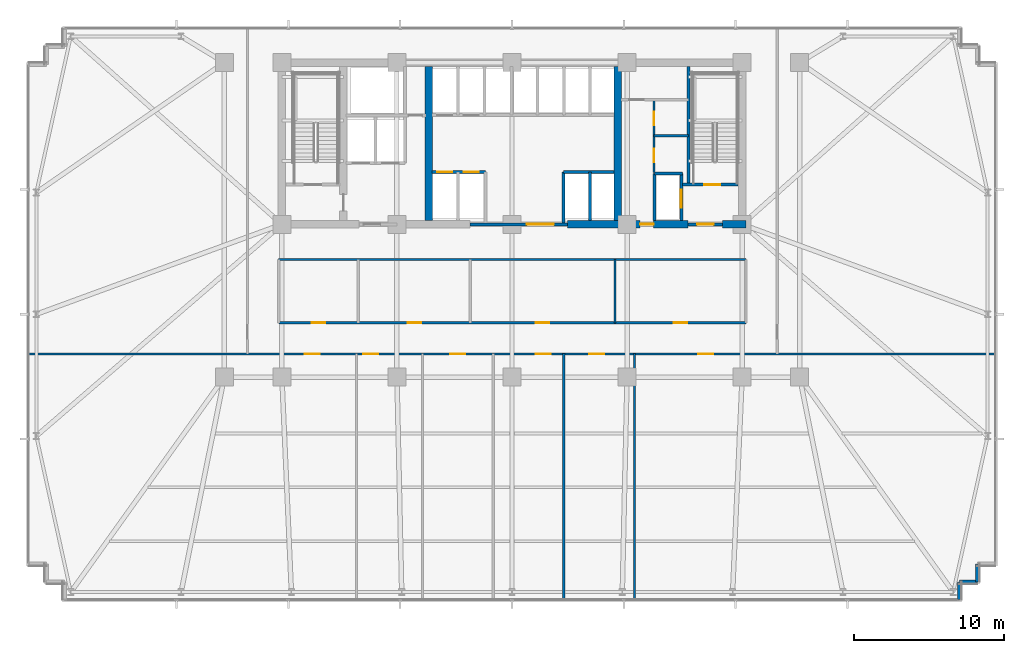
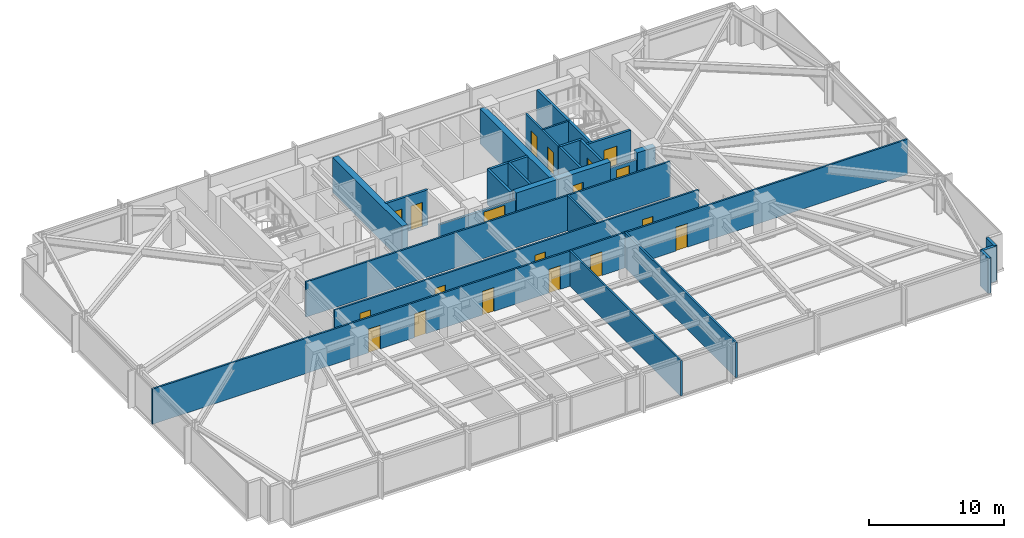
# One storey, part 25 of 32: 26 walls, 19 doors, 19 openings.
"""IFC4 building model written with IfcOpenShell, lengths in metres."""

from ifc_helpers import new_model, si_unit, direction, frame, frame_2d, origin, place, context, subcontext, project, spatial, rectangle, extrude, material, layer, layer_set, type_object, element, fill, save


model = new_model("IFC4")

# Units and contexts
model_context = context("Model", 3, precision=1e-05, world=origin(), true_north=direction((0.0, 1.0)))
body_context = subcontext(model_context, "Body", "Model", "MODEL_VIEW")
ifc_project = project(units=[si_unit("LENGTHUNIT", "METRE"), si_unit("AREAUNIT", "SQUARE_METRE"), si_unit("VOLUMEUNIT", "CUBIC_METRE"), si_unit("PLANEANGLEUNIT", "RADIAN"), si_unit("MASSUNIT", "GRAM", prefix="KILO")], contexts=[model_context])

# Site, building, storey
site_placement = place(None, origin())
site = spatial("IfcSite", under=ifc_project, at=site_placement, CompositionType="ELEMENT")
building_placement = place(site_placement, origin())
building = spatial("IfcBuilding", under=site, at=building_placement, Name="Yelkora Congress Tower", CompositionType="ELEMENT")
storey_placement = place(building_placement, frame((0.0, 0.0, 61.0)))
storey = spatial("IfcBuildingStorey", under=building, at=storey_placement, Name="L15", CompositionType="ELEMENT", Elevation=61.0)

# Wall
ifc_material_1 = material(Name="Concrete C50/60", Category="concrete")
ifc_layer_1 = layer(ifc_material_1, 0.219970703125)
ifc_layer_set_1 = layer_set([ifc_layer_1], Name="Concrete C50/60")
wall_type_1 = type_object("IfcWallType", Name="WALL-CORE-INT-220", PredefinedType="SHEAR", material=ifc_layer_set_1)
wall_1_placement = place(storey_placement, frame((50.179931640625, 38.050048828125, 0.0), z_axis=(0.0, 0.0, 1.0), x_axis=(0.0, 1.0, 0.0)))
element("IfcWall", 1, at=wall_1_placement, inside=storey, type_object=wall_type_1, Name="L15 ST02 West Stair Shear Wall", PredefinedType="SHEAR", context=body_context, shape_type="SweptSolid", body=[
    extrude(rectangle(XDim=7.89990234375, YDim=0.219970703125, at=frame_2d((3.949951171875, 0.0))), origin(), (0.0, 0.0, 1.0), 3.179931640625),
])

# Wall, opening, door
ifc_material_2 = material(Name="Concrete C60/75", Category="concrete")
ifc_layer_2 = layer(ifc_material_2, 0.5)
ifc_layer_set_2 = layer_set([ifc_layer_2], Name="Concrete C60/75")
wall_type_2 = type_object("IfcWallType", Name="WALL-CORE-INT-500", PredefinedType="SHEAR", material=ifc_layer_set_2)
wall_2_placement = place(storey_placement, frame((42.10009765625, 35.39990234375, 0.0), z_axis=(0.0, 0.0, 1.0), x_axis=(1.0, 0.0, 0.0)))
wall_2 = element("IfcWall", 2, at=wall_2_placement, inside=storey, type_object=wall_type_2, Name="L15 Rear Core South-East Shear Wall A", PredefinedType="SHEAR", context=body_context, shape_type="SweptSolid", body=[
    extrude(rectangle(XDim=8.0498046875, YDim=0.5, at=frame_2d((4.02490234375, 0.0))), origin(), (0.0, 0.0, 1.0), 3.179931640625),
])
opening_1_placement = place(wall_2_placement, frame((4.85009765625, 0.0, 0.0)))
opening_1 = element("IfcOpeningElement", 3, at=opening_1_placement, cuts=wall_2, Name="Opening DR-090F6", PredefinedType="OPENING", context=body_context, shape_type="SweptSolid", body=[
    extrude(rectangle(XDim=0.89990234375, YDim=2.14990234375, at=frame_2d((0.449951171875, 1.074951171875))), frame((0.0, 0.260009765625, 0.0), z_axis=(0.0, -1.0, 0.0), x_axis=(1.0, 0.0, 0.0)), (0.0, 0.0, 1.0), 0.52001953125),
])
ifc_material_3 = material(Name="Painted steel riser fire door leaf", Category="steel")
door_type_1 = type_object("IfcDoorType", Name="DOOR-FD60-900", OperationType="NOTDEFINED", PredefinedType="DOOR", material=ifc_material_3)
door_1_placement = place(opening_1_placement, origin())
door_1 = element("IfcDoor", 4, at=door_1_placement, inside=storey, type_object=door_type_1, Name="L15 Core Washroom Lobby Door", OperationType="SINGLE_SWING_RIGHT", OverallHeight=2.14990234375, OverallWidth=0.89990234375, PredefinedType="DOOR", context=body_context, shape_type="SweptSolid", body=[
    extrude(rectangle(XDim=0.89990234375, YDim=2.14990234375, at=frame_2d((0.449951171875, 1.074951171875))), frame((0.0, 0.02490234375, 0.0), z_axis=(0.0, -1.0, 0.0), x_axis=(1.0, 0.0, 0.0)), (0.0, 0.0, 1.0), 0.050048828125),
])
fill(opening_1, door_1)

# Walls
wall_3_placement = place(storey_placement, frame((52.449951171875, 35.39990234375, 0.0), z_axis=(0.0, 0.0, 1.0), x_axis=(1.0, 0.0, 0.0)))
element("IfcWall", 5, at=wall_3_placement, inside=storey, type_object=wall_type_2, Name="L15 Rear Core South-East Shear Wall B", PredefinedType="SHEAR", context=body_context, shape_type="SweptSolid", body=[
    extrude(rectangle(XDim=1.56005859375, YDim=0.5, at=frame_2d((0.780029296875, 0.0))), origin(), (0.0, 0.0, 1.0), 3.179931640625),
])
for number, where, z_axis, x_axis, name in (
    (6, (32.85009765625, 35.64990234375, 0.0), (0.0, 0.0, 1.0), (0.0, 1.0, 0.0), "L15 Rear Core Cross Shear Wall C2"),
    (7, (45.449951171875, 35.64990234375, 0.0), (0.0, 0.0, 1.0), (0.0, 1.0, 0.0), "L15 Rear Core Cross Shear Wall C3"),
):
    element("IfcWall", number, at=place(storey_placement, frame(where, z_axis=z_axis, x_axis=x_axis)), inside=storey, type_object=wall_type_2, Name=name, PredefinedType="SHEAR", context=body_context, shape_type="SweptSolid", body=[
        extrude(rectangle(XDim=10.300048828125, YDim=0.5, at=frame_2d((5.14990234375, 0.0))), origin(), (0.0, 0.0, 1.0), 3.179931640625),
    ])
ifc_material_4 = material(Name="Concrete C40/50", Category="concrete")
ifc_layer_3 = layer(ifc_material_4, 0.239990234375)
ifc_layer_set_3 = layer_set([ifc_layer_3], Name="Concrete C40/50")
wall_type_3 = type_object("IfcWallType", Name="WALL-EXT-LIMESTONE-240", PredefinedType="SOLIDWALL", material=ifc_layer_set_3)
for number, where, z_axis, x_axis, name in (
    (8, (69.4599609375, 12.739990234375, 0.0), (0.0, 0.0, 1.0), (0.0, -1.0, 0.0), "L15 Serrated Corner Limestone Pier 17"),
    (9, (69.4599609375, 11.5400390625, 0.0), (0.0, 0.0, 1.0), (-1.0, 0.0, 0.0), "L15 Serrated Corner Limestone Pier 18"),
    (10, (68.260009765625, 11.5400390625, 0.0), (0.0, 0.0, 1.0), (0.0, -1.0, 0.0), "L15 Serrated Corner Limestone Pier 19"),
):
    element("IfcWall", number, at=place(storey_placement, frame(where, z_axis=z_axis, x_axis=x_axis)), inside=storey, type_object=wall_type_3, Name=name, PredefinedType="SOLIDWALL", context=body_context, shape_type="SweptSolid", body=[
        extrude(rectangle(XDim=1.199951171875, YDim=0.239990234375, at=frame_2d((0.60009765625, 0.0))), origin(), (0.0, 0.0, 1.0), 3.179931640625),
    ])
ifc_material_5 = material(Name="Acoustic metal-stud gypsum partition", Category="gypsum")
ifc_layer_4 = layer(ifc_material_5, 0.14990234375)
ifc_layer_set_4 = layer_set([ifc_layer_4], Name="Acoustic metal-stud gypsum partition")
wall_type_4 = type_object("IfcWallType", Name="WALL-INT-150-NR", PredefinedType="PARTITIONING", material=ifc_layer_set_4)
wall_4_placement = place(storey_placement, frame((47.8798828125, 41.320068359375, 0.0), z_axis=(0.0, 0.0, 1.0), x_axis=(1.0, 0.0, 0.0)))
element("IfcWall", 11, at=wall_4_placement, inside=storey, type_object=wall_type_4, Name="L15 Partition Wall 29", PredefinedType="PARTITIONING", context=body_context, shape_type="SweptSolid", body=[
    extrude(rectangle(XDim=2.300048828125, YDim=0.14990234375, at=frame_2d((1.14990234375, 0.0))), origin(), (0.0, 0.0, 1.0), 3.179931640625),
])

# Wall, openings, doors
wall_5_placement = place(storey_placement, frame((47.8798828125, 38.85009765625, 0.0), z_axis=(0.0, 0.0, 1.0), x_axis=(0.0, 1.0, 0.0)))
wall_5 = element("IfcWall", 12, at=wall_5_placement, inside=storey, type_object=wall_type_4, Name="L15 Partition Wall 30", PredefinedType="PARTITIONING", context=body_context, shape_type="SweptSolid", body=[
    extrude(rectangle(XDim=4.869873046875, YDim=0.14990234375, at=frame_2d((2.43505859375, 0.0))), origin(), (0.0, 0.0, 1.0), 3.179931640625),
])
opening_2_placement = place(wall_5_placement, frame((0.699951171875, 0.0, 0.0)))
opening_2 = element("IfcOpeningElement", 13, at=opening_2_placement, cuts=wall_5, Name="Opening DR-090N", PredefinedType="OPENING", context=body_context, shape_type="SweptSolid", body=[
    extrude(rectangle(XDim=0.89990234375, YDim=2.14990234375, at=frame_2d((0.449951171875, 1.074951171875))), frame((0.0, 0.0849609375, 0.0), z_axis=(0.0, -1.0, 0.0), x_axis=(1.0, 0.0, 0.0)), (0.0, 0.0, 1.0), 0.169921875),
])
opening_3_placement = place(wall_5_placement, frame((3.14990234375, 0.0, 0.0)))
opening_3 = element("IfcOpeningElement", 14, at=opening_3_placement, cuts=wall_5, Name="Opening DR-090N", PredefinedType="OPENING", context=body_context, shape_type="SweptSolid", body=[
    extrude(rectangle(XDim=0.89990234375, YDim=2.14990234375, at=frame_2d((0.449951171875, 1.074951171875))), frame((0.0, 0.0849609375, 0.0), z_axis=(0.0, -1.0, 0.0), x_axis=(1.0, 0.0, 0.0)), (0.0, 0.0, 1.0), 0.169921875),
])
ifc_material_6 = material(Name="Moisture-resistant laminate door leaf", Category="wood")
door_type_2 = type_object("IfcDoorType", Name="DOOR-INT-900", OperationType="NOTDEFINED", PredefinedType="DOOR", material=ifc_material_6)
door_2_placement = place(opening_2_placement, origin())
door_2 = element("IfcDoor", 15, at=door_2_placement, inside=storey, type_object=door_type_2, Name="L15 Male WC Door", OperationType="SINGLE_SWING_LEFT", OverallHeight=2.14990234375, OverallWidth=0.89990234375, PredefinedType="DOOR", context=body_context, shape_type="SweptSolid", body=[
    extrude(rectangle(XDim=0.89990234375, YDim=2.14990234375, at=frame_2d((0.449951171875, 1.074951171875))), frame((0.0, 0.02490234375, 0.0), z_axis=(0.0, -1.0, 0.0), x_axis=(1.0, 0.0, 0.0)), (0.0, 0.0, 1.0), 0.050048828125),
])
fill(opening_2, door_2)
door_3_placement = place(opening_3_placement, origin())
door_3 = element("IfcDoor", 16, at=door_3_placement, inside=storey, type_object=door_type_2, Name="L15 Female WC Door", OperationType="SINGLE_SWING_RIGHT", OverallHeight=2.14990234375, OverallWidth=0.89990234375, PredefinedType="DOOR", context=body_context, shape_type="SweptSolid", body=[
    extrude(rectangle(XDim=0.89990234375, YDim=2.14990234375, at=frame_2d((0.449951171875, 1.074951171875))), frame((0.0, 0.02490234375, 0.0), z_axis=(0.0, -1.0, 0.0), x_axis=(1.0, 0.0, 0.0)), (0.0, 0.0, 1.0), 0.050048828125),
])
fill(opening_3, door_3)

# Walls
for number, where, z_axis, x_axis, name in (
    (17, (41.862060546875, 10.280029296875, 0.0), (0.0, 0.0, 1.0), (0.0, 1.0, 0.0), "L15 Partition Wall 34"),
    (18, (46.580078125, 10.280029296875, 0.0), (0.0, 0.0, 1.0), (0.0, 1.0, 0.0), "L15 Partition Wall 35"),
):
    element("IfcWall", number, at=place(storey_placement, frame(where, z_axis=z_axis, x_axis=x_axis)), inside=storey, type_object=wall_type_4, Name=name, PredefinedType="PARTITIONING", context=body_context, shape_type="SweptSolid", body=[
        extrude(rectangle(XDim=16.489990234375, YDim=0.14990234375, at=frame_2d((8.2451171875, 0.0))), origin(), (0.0, 0.0, 1.0), 3.179931640625),
    ])

# Wall, openings, doors
wall_6_placement = place(storey_placement, frame((6.080078125, 26.75, 0.0), z_axis=(0.0, 0.0, 1.0), x_axis=(1.0, 0.0, 0.0)))
wall_6 = element("IfcWall", 19, at=wall_6_placement, inside=storey, type_object=wall_type_4, Name="L15 South Spine Wall", PredefinedType="PARTITIONING", context=body_context, shape_type="SweptSolid", body=[
    extrude(rectangle(XDim=64.639892578125, YDim=0.14990234375, at=frame_2d((32.31982421875, 0.0))), origin(), (0.0, 0.0, 1.0), 3.179931640625),
])
opening_4_placement = place(wall_6_placement, frame((18.478759765625, 0.0, 0.0)))
opening_4 = element("IfcOpeningElement", 20, at=opening_4_placement, cuts=wall_6, Name="Opening DR-100N", PredefinedType="OPENING", context=body_context, shape_type="SweptSolid", body=[
    extrude(rectangle(XDim=1.0, YDim=2.14990234375, at=frame_2d((0.5, 1.074951171875))), frame((0.0, 0.0849609375, 0.0), z_axis=(0.0, -1.0, 0.0), x_axis=(1.0, 0.0, 0.0)), (0.0, 0.0, 1.0), 0.169921875),
])
opening_5_placement = place(wall_6_placement, frame((22.39404296875, 0.0, 0.0)))
opening_5 = element("IfcOpeningElement", 21, at=opening_5_placement, cuts=wall_6, Name="Opening DR-100N", PredefinedType="OPENING", context=body_context, shape_type="SweptSolid", body=[
    extrude(rectangle(XDim=1.0, YDim=2.14990234375, at=frame_2d((0.5, 1.074951171875))), frame((0.0, 0.0849609375, 0.0), z_axis=(0.0, -1.0, 0.0), x_axis=(1.0, 0.0, 0.0)), (0.0, 0.0, 1.0), 0.169921875),
])
opening_6_placement = place(wall_6_placement, frame((28.2060546875, 0.0, 0.0)))
opening_6 = element("IfcOpeningElement", 22, at=opening_6_placement, cuts=wall_6, Name="Opening DR-100N", PredefinedType="OPENING", context=body_context, shape_type="SweptSolid", body=[
    extrude(rectangle(XDim=1.0, YDim=2.14990234375, at=frame_2d((0.5, 1.074951171875))), frame((0.0, 0.0849609375, 0.0), z_axis=(0.0, -1.0, 0.0), x_axis=(1.0, 0.0, 0.0)), (0.0, 0.0, 1.0), 0.169921875),
])
opening_7_placement = place(wall_6_placement, frame((33.891845703125, 0.0, 0.0)))
opening_7 = element("IfcOpeningElement", 23, at=opening_7_placement, cuts=wall_6, Name="Opening DR-100N", PredefinedType="OPENING", context=body_context, shape_type="SweptSolid", body=[
    extrude(rectangle(XDim=1.0, YDim=2.14990234375, at=frame_2d((0.5, 1.074951171875))), frame((0.0, 0.0849609375, 0.0), z_axis=(0.0, -1.0, 0.0), x_axis=(1.0, 0.0, 0.0)), (0.0, 0.0, 1.0), 0.169921875),
])
opening_8_placement = place(wall_6_placement, frame((37.46484375, 0.0, 0.0)))
opening_8 = element("IfcOpeningElement", 24, at=opening_8_placement, cuts=wall_6, Name="Opening DR-100N", PredefinedType="OPENING", context=body_context, shape_type="SweptSolid", body=[
    extrude(rectangle(XDim=1.0, YDim=2.14990234375, at=frame_2d((0.5, 1.074951171875))), frame((0.0, 0.0849609375, 0.0), z_axis=(0.0, -1.0, 0.0), x_axis=(1.0, 0.0, 0.0)), (0.0, 0.0, 1.0), 0.169921875),
])
opening_9_placement = place(wall_6_placement, frame((44.760009765625, 0.0, 0.0)))
opening_9 = element("IfcOpeningElement", 25, at=opening_9_placement, cuts=wall_6, Name="Opening DR-100N", PredefinedType="OPENING", context=body_context, shape_type="SweptSolid", body=[
    extrude(rectangle(XDim=1.0, YDim=2.14990234375, at=frame_2d((0.5, 1.074951171875))), frame((0.0, 0.0849609375, 0.0), z_axis=(0.0, -1.0, 0.0), x_axis=(1.0, 0.0, 0.0)), (0.0, 0.0, 1.0), 0.169921875),
])
ifc_material_7 = material(Name="Solid-core Anatolian oak veneer door", Category="wood")
door_type_3 = type_object("IfcDoorType", Name="DOOR-INT-1000", OperationType="NOTDEFINED", PredefinedType="DOOR", material=ifc_material_7)
door_4_placement = place(opening_4_placement, origin())
door_4 = element("IfcDoor", 26, at=door_4_placement, inside=storey, type_object=door_type_3, Name="L15 Catering Kitchenette Door", OperationType="SINGLE_SWING_LEFT", OverallHeight=2.14990234375, OverallWidth=1.0, PredefinedType="DOOR", context=body_context, shape_type="SweptSolid", body=[
    extrude(rectangle(XDim=1.0, YDim=2.14990234375, at=frame_2d((0.5, 1.074951171875))), frame((0.0, 0.02490234375, 0.0), z_axis=(0.0, -1.0, 0.0), x_axis=(1.0, 0.0, 0.0)), (0.0, 0.0, 1.0), 0.050048828125),
])
fill(opening_4, door_4)
door_5_placement = place(opening_5_placement, origin())
door_5 = element("IfcDoor", 27, at=door_5_placement, inside=storey, type_object=door_type_3, Name="L15 Catering Kitchenette Door", OperationType="SINGLE_SWING_RIGHT", OverallHeight=2.14990234375, OverallWidth=1.0, PredefinedType="DOOR", context=body_context, shape_type="SweptSolid", body=[
    extrude(rectangle(XDim=1.0, YDim=2.14990234375, at=frame_2d((0.5, 1.074951171875))), frame((0.0, 0.02490234375, 0.0), z_axis=(0.0, -1.0, 0.0), x_axis=(1.0, 0.0, 0.0)), (0.0, 0.0, 1.0), 0.050048828125),
])
fill(opening_5, door_5)
door_6_placement = place(opening_6_placement, origin())
door_6 = element("IfcDoor", 28, at=door_6_placement, inside=storey, type_object=door_type_3, Name="L15 Focus Office Door", OperationType="SINGLE_SWING_LEFT", OverallHeight=2.14990234375, OverallWidth=1.0, PredefinedType="DOOR", context=body_context, shape_type="SweptSolid", body=[
    extrude(rectangle(XDim=1.0, YDim=2.14990234375, at=frame_2d((0.5, 1.074951171875))), frame((0.0, 0.02490234375, 0.0), z_axis=(0.0, -1.0, 0.0), x_axis=(1.0, 0.0, 0.0)), (0.0, 0.0, 1.0), 0.050048828125),
])
fill(opening_6, door_6)
door_7_placement = place(opening_7_placement, origin())
door_7 = element("IfcDoor", 29, at=door_7_placement, inside=storey, type_object=door_type_3, Name="L15 Store IT Door", OperationType="SINGLE_SWING_RIGHT", OverallHeight=2.14990234375, OverallWidth=1.0, PredefinedType="DOOR", context=body_context, shape_type="SweptSolid", body=[
    extrude(rectangle(XDim=1.0, YDim=2.14990234375, at=frame_2d((0.5, 1.074951171875))), frame((0.0, 0.02490234375, 0.0), z_axis=(0.0, -1.0, 0.0), x_axis=(1.0, 0.0, 0.0)), (0.0, 0.0, 1.0), 0.050048828125),
])
fill(opening_7, door_7)
door_8_placement = place(opening_8_placement, origin())
door_8 = element("IfcDoor", 30, at=door_8_placement, inside=storey, type_object=door_type_3, Name="L15 Open-Plan Office Door", OperationType="SINGLE_SWING_LEFT", OverallHeight=2.14990234375, OverallWidth=1.0, PredefinedType="DOOR", context=body_context, shape_type="SweptSolid", body=[
    extrude(rectangle(XDim=1.0, YDim=2.14990234375, at=frame_2d((0.5, 1.074951171875))), frame((0.0, 0.02490234375, 0.0), z_axis=(0.0, -1.0, 0.0), x_axis=(1.0, 0.0, 0.0)), (0.0, 0.0, 1.0), 0.050048828125),
])
fill(opening_8, door_8)
door_9_placement = place(opening_9_placement, origin())
door_9 = element("IfcDoor", 31, at=door_9_placement, inside=storey, type_object=door_type_3, Name="L15 Open-Plan Office Door", OperationType="SINGLE_SWING_RIGHT", OverallHeight=2.14990234375, OverallWidth=1.0, PredefinedType="DOOR", context=body_context, shape_type="SweptSolid", body=[
    extrude(rectangle(XDim=1.0, YDim=2.14990234375, at=frame_2d((0.5, 1.074951171875))), frame((0.0, 0.02490234375, 0.0), z_axis=(0.0, -1.0, 0.0), x_axis=(1.0, 0.0, 0.0)), (0.0, 0.0, 1.0), 0.050048828125),
])
fill(opening_9, door_9)

# Walls
wall_7_placement = place(storey_placement, frame((22.830078125, 33.050048828125, 0.0), z_axis=(0.0, 0.0, 1.0), x_axis=(1.0, 0.0, 0.0)))
element("IfcWall", 32, at=wall_7_placement, inside=storey, type_object=wall_type_4, Name="L15 Partition Wall 41", PredefinedType="PARTITIONING", context=body_context, shape_type="SweptSolid", body=[
    extrude(rectangle(XDim=31.18994140625, YDim=0.14990234375, at=frame_2d((15.594970703125, 0.0))), origin(), (0.0, 0.0, 1.0), 3.179931640625),
])
wall_8_placement = place(storey_placement, frame((45.281982421875, 28.830078125, 0.0), z_axis=(0.0, 0.0, 1.0), x_axis=(0.0, 1.0, 0.0)))
element("IfcWall", 33, at=wall_8_placement, inside=storey, type_object=wall_type_4, Name="L15 Partition Wall 44", PredefinedType="PARTITIONING", context=body_context, shape_type="SweptSolid", body=[
    extrude(rectangle(XDim=4.219970703125, YDim=0.14990234375, at=frame_2d((2.10986328125, 0.0))), origin(), (0.0, 0.0, 1.0), 3.179931640625),
])

# Wall, openings, doors
wall_9_placement = place(storey_placement, frame((22.840087890625, 28.830078125, 0.0), z_axis=(0.0, 0.0, 1.0), x_axis=(1.0, 0.0, 0.0)))
wall_9 = element("IfcWall", 34, at=wall_9_placement, inside=storey, type_object=wall_type_4, Name="L15 Partition Wall 45", PredefinedType="PARTITIONING", context=body_context, shape_type="SweptSolid", body=[
    extrude(rectangle(XDim=31.169921875, YDim=0.14990234375, at=frame_2d((15.5849609375, 0.0))), origin(), (0.0, 0.0, 1.0), 3.179931640625),
])
opening_10_placement = place(wall_9_placement, frame((2.199462890625, 0.0, 0.0)))
opening_10 = element("IfcOpeningElement", 35, at=opening_10_placement, cuts=wall_9, Name="Opening DR-090N", PredefinedType="OPENING", context=body_context, shape_type="SweptSolid", body=[
    extrude(rectangle(XDim=0.89990234375, YDim=2.14990234375, at=frame_2d((0.449951171875, 1.074951171875))), frame((0.0, 0.0849609375, 0.0), z_axis=(0.0, -1.0, 0.0), x_axis=(1.0, 0.0, 0.0)), (0.0, 0.0, 1.0), 0.169921875),
])
opening_11_placement = place(wall_9_placement, frame((8.589599609375, 0.0, 0.0)))
opening_11 = element("IfcOpeningElement", 36, at=opening_11_placement, cuts=wall_9, Name="Opening DR-090N", PredefinedType="OPENING", context=body_context, shape_type="SweptSolid", body=[
    extrude(rectangle(XDim=0.89990234375, YDim=2.14990234375, at=frame_2d((0.449951171875, 1.074951171875))), frame((0.0, 0.0849609375, 0.0), z_axis=(0.0, -1.0, 0.0), x_axis=(1.0, 0.0, 0.0)), (0.0, 0.0, 1.0), 0.169921875),
])
opening_12_placement = place(wall_9_placement, frame((17.160888671875, 0.0, 0.0)))
opening_12 = element("IfcOpeningElement", 37, at=opening_12_placement, cuts=wall_9, Name="Opening DR-090N", PredefinedType="OPENING", context=body_context, shape_type="SweptSolid", body=[
    extrude(rectangle(XDim=0.89990234375, YDim=2.14990234375, at=frame_2d((0.449951171875, 1.074951171875))), frame((0.0, 0.0849609375, 0.0), z_axis=(0.0, -1.0, 0.0), x_axis=(1.0, 0.0, 0.0)), (0.0, 0.0, 1.0), 0.169921875),
])
opening_13_placement = place(wall_9_placement, frame((26.35595703125, 0.0, 0.0)))
opening_13 = element("IfcOpeningElement", 38, at=opening_13_placement, cuts=wall_9, Name="Opening DR-090N", PredefinedType="OPENING", context=body_context, shape_type="SweptSolid", body=[
    extrude(rectangle(XDim=0.89990234375, YDim=2.14990234375, at=frame_2d((0.449951171875, 1.074951171875))), frame((0.0, 0.0849609375, 0.0), z_axis=(0.0, -1.0, 0.0), x_axis=(1.0, 0.0, 0.0)), (0.0, 0.0, 1.0), 0.169921875),
])
door_10_placement = place(opening_10_placement, origin())
door_10 = element("IfcDoor", 39, at=door_10_placement, inside=storey, type_object=door_type_2, Name="L15 Fitness Yoga Studio Door", OperationType="SINGLE_SWING_LEFT", OverallHeight=2.14990234375, OverallWidth=0.89990234375, PredefinedType="DOOR", context=body_context, shape_type="SweptSolid", body=[
    extrude(rectangle(XDim=0.89990234375, YDim=2.14990234375, at=frame_2d((0.449951171875, 1.074951171875))), frame((0.0, 0.02490234375, 0.0), z_axis=(0.0, -1.0, 0.0), x_axis=(1.0, 0.0, 0.0)), (0.0, 0.0, 1.0), 0.050048828125),
])
fill(opening_10, door_10)
door_11_placement = place(opening_11_placement, origin())
door_11 = element("IfcDoor", 40, at=door_11_placement, inside=storey, type_object=door_type_2, Name="L15 Executive Library Door", OperationType="SINGLE_SWING_RIGHT", OverallHeight=2.14990234375, OverallWidth=0.89990234375, PredefinedType="DOOR", context=body_context, shape_type="SweptSolid", body=[
    extrude(rectangle(XDim=0.89990234375, YDim=2.14990234375, at=frame_2d((0.449951171875, 1.074951171875))), frame((0.0, 0.02490234375, 0.0), z_axis=(0.0, -1.0, 0.0), x_axis=(1.0, 0.0, 0.0)), (0.0, 0.0, 1.0), 0.050048828125),
])
fill(opening_11, door_11)
door_12_placement = place(opening_12_placement, origin())
door_12 = element("IfcDoor", 41, at=door_12_placement, inside=storey, type_object=door_type_2, Name="L15 Delegate Kiosk Door", OperationType="SINGLE_SWING_LEFT", OverallHeight=2.14990234375, OverallWidth=0.89990234375, PredefinedType="DOOR", context=body_context, shape_type="SweptSolid", body=[
    extrude(rectangle(XDim=0.89990234375, YDim=2.14990234375, at=frame_2d((0.449951171875, 1.074951171875))), frame((0.0, 0.02490234375, 0.0), z_axis=(0.0, -1.0, 0.0), x_axis=(1.0, 0.0, 0.0)), (0.0, 0.0, 1.0), 0.050048828125),
])
fill(opening_12, door_12)
door_13_placement = place(opening_13_placement, origin())
door_13 = element("IfcDoor", 42, at=door_13_placement, inside=storey, type_object=door_type_2, Name="L15 Fitness Yoga Studio Door", OperationType="SINGLE_SWING_RIGHT", OverallHeight=2.14990234375, OverallWidth=0.89990234375, PredefinedType="DOOR", context=body_context, shape_type="SweptSolid", body=[
    extrude(rectangle(XDim=0.89990234375, YDim=2.14990234375, at=frame_2d((0.449951171875, 1.074951171875))), frame((0.0, 0.02490234375, 0.0), z_axis=(0.0, -1.0, 0.0), x_axis=(1.0, 0.0, 0.0)), (0.0, 0.0, 1.0), 0.050048828125),
])
fill(opening_13, door_13)

# Wall, opening, door
ifc_material_8 = material(Name="Autoclaved aerated concrete blockwork", Category="masonry")
ifc_layer_5 = layer(ifc_material_8, 0.199951171875)
ifc_layer_set_5 = layer_set([ifc_layer_5], Name="Autoclaved aerated concrete blockwork")
wall_type_5 = type_object("IfcWallType", Name="WALL-INT-200-R120", PredefinedType="PARTITIONING", material=ifc_layer_set_5)
wall_10_placement = place(storey_placement, frame((35.60009765625, 35.39990234375, 0.0), z_axis=(0.0, 0.0, 1.0), x_axis=(1.0, 0.0, 0.0)))
wall_10 = element("IfcWall", 43, at=wall_10_placement, inside=storey, type_object=wall_type_5, Name="L15 Main Lift Lobby South Portal Wall", PredefinedType="PARTITIONING", context=body_context, shape_type="SweptSolid", body=[
    extrude(rectangle(XDim=6.5, YDim=0.199951171875, at=frame_2d((3.25, 0.0))), origin(), (0.0, 0.0, 1.0), 2.47509765625),
])
opening_14_placement = place(wall_10_placement, frame((3.800048828125, 0.0, 0.0)))
opening_14 = element("IfcOpeningElement", 44, at=opening_14_placement, cuts=wall_10, Name="Opening DR-180D", PredefinedType="OPENING", context=body_context, shape_type="SweptSolid", body=[
    extrude(rectangle(XDim=1.800048828125, YDim=2.300048828125, at=frame_2d((0.89990234375, 1.14990234375))), frame((0.0, 0.10986328125, 0.0), z_axis=(0.0, -1.0, 0.0), x_axis=(1.0, 0.0, 0.0)), (0.0, 0.0, 1.0), 0.219970703125),
])
ifc_material_9 = material(Name="Acoustic double congress hall doors", Category="wood")
door_type_4 = type_object("IfcDoorType", Name="DOOR-DBL-1800", OperationType="DOUBLE_DOOR_SINGLE_SWING", PredefinedType="DOOR", material=ifc_material_9)
door_14_placement = place(opening_14_placement, origin())
door_14 = element("IfcDoor", 45, at=door_14_placement, inside=storey, type_object=door_type_4, Name="L15 Main Lift Lobby Portal Door", OperationType="DOUBLE_DOOR_SINGLE_SWING", OverallHeight=2.300048828125, OverallWidth=1.800048828125, PredefinedType="DOOR", context=body_context, shape_type="SweptSolid", body=[
    extrude(rectangle(XDim=1.800048828125, YDim=2.300048828125, at=frame_2d((0.89990234375, 1.14990234375))), frame((0.0, 0.02490234375, 0.0), z_axis=(0.0, -1.0, 0.0), x_axis=(1.0, 0.0, 0.0)), (0.0, 0.0, 1.0), 0.050048828125),
])
fill(opening_14, door_14)

# Wall, openings, doors
wall_11_placement = place(storey_placement, frame((33.050048828125, 38.89990234375, 0.0), z_axis=(0.0, 0.0, 1.0), x_axis=(1.0, 0.0, 0.0)))
wall_11 = element("IfcWall", 46, at=wall_11_placement, inside=storey, type_object=wall_type_5, Name="L15 Partition Wall 11", PredefinedType="PARTITIONING", context=body_context, shape_type="SweptSolid", body=[
    extrude(rectangle(XDim=3.570068359375, YDim=0.199951171875, at=frame_2d((1.78515625, 0.0))), origin(), (0.0, 0.0, 1.0), 3.179931640625),
])
opening_15_placement = place(wall_11_placement, frame((0.375, 0.0, 0.0)))
opening_15 = element("IfcOpeningElement", 47, at=opening_15_placement, cuts=wall_11, Name="Opening LD-PS10", PredefinedType="OPENING", context=body_context, shape_type="SweptSolid", body=[
    extrude(rectangle(XDim=1.0, YDim=2.199951171875, at=frame_2d((0.5, 1.10009765625))), frame((0.0, 0.10986328125, 0.0), z_axis=(0.0, -1.0, 0.0), x_axis=(1.0, 0.0, 0.0)), (0.0, 0.0, 1.0), 0.219970703125),
])
opening_16_placement = place(wall_11_placement, frame((2.125, 0.0, 0.0)))
opening_16 = element("IfcOpeningElement", 48, at=opening_16_placement, cuts=wall_11, Name="Opening LD-PS10", PredefinedType="OPENING", context=body_context, shape_type="SweptSolid", body=[
    extrude(rectangle(XDim=1.0, YDim=2.199951171875, at=frame_2d((0.5, 1.10009765625))), frame((0.0, 0.10986328125, 0.0), z_axis=(0.0, -1.0, 0.0), x_axis=(1.0, 0.0, 0.0)), (0.0, 0.0, 1.0), 0.219970703125),
])
ifc_material_10 = material(Name="Champagne stainless steel landing door", Category="steel")
door_type_5 = type_object("IfcDoorType", Name="DOOR-LIFT-PAS-1000", OperationType="DOUBLE_DOOR_SLIDING", PredefinedType="DOOR", material=ifc_material_10)
door_15_placement = place(opening_15_placement, origin())
door_15 = element("IfcDoor", 49, at=door_15_placement, inside=storey, type_object=door_type_5, Name="Lift Landing Door LF-P1 L15", OperationType="DOUBLE_DOOR_SLIDING", OverallHeight=2.199951171875, OverallWidth=1.0, PredefinedType="DOOR", context=body_context, shape_type="SweptSolid", body=[
    extrude(rectangle(XDim=1.0, YDim=2.199951171875, at=frame_2d((0.5, 1.10009765625))), frame((0.0, 0.02490234375, 0.0), z_axis=(0.0, -1.0, 0.0), x_axis=(1.0, 0.0, 0.0)), (0.0, 0.0, 1.0), 0.050048828125),
])
fill(opening_15, door_15)
door_16_placement = place(opening_16_placement, origin())
door_16 = element("IfcDoor", 50, at=door_16_placement, inside=storey, type_object=door_type_5, Name="Lift Landing Door LF-P2 L15", OperationType="DOUBLE_DOOR_SLIDING", OverallHeight=2.199951171875, OverallWidth=1.0, PredefinedType="DOOR", context=body_context, shape_type="SweptSolid", body=[
    extrude(rectangle(XDim=1.0, YDim=2.199951171875, at=frame_2d((0.5, 1.10009765625))), frame((0.0, 0.02490234375, 0.0), z_axis=(0.0, -1.0, 0.0), x_axis=(1.0, 0.0, 0.0)), (0.0, 0.0, 1.0), 0.050048828125),
])
fill(opening_16, door_16)

# Walls
wall_12_placement = place(storey_placement, frame((41.85009765625, 38.89990234375, 0.0), z_axis=(0.0, 0.0, 1.0), x_axis=(1.0, 0.0, 0.0)))
element("IfcWall", 51, at=wall_12_placement, inside=storey, type_object=wall_type_5, Name="L15 Partition Wall 17", PredefinedType="PARTITIONING", context=body_context, shape_type="SweptSolid", body=[
    extrude(rectangle(XDim=3.369873046875, YDim=0.199951171875, at=frame_2d((1.68505859375, 0.0))), origin(), (0.0, 0.0, 1.0), 3.179931640625),
])
wall_13_placement = place(storey_placement, frame((43.60009765625, 35.64990234375, 0.0), z_axis=(0.0, 0.0, 1.0), x_axis=(0.0, 1.0, 0.0)))
element("IfcWall", 52, at=wall_13_placement, inside=storey, type_object=wall_type_5, Name="L15 Partition Wall 19", PredefinedType="PARTITIONING", context=body_context, shape_type="SweptSolid", body=[
    extrude(rectangle(XDim=3.25, YDim=0.199951171875, at=frame_2d((1.625, 0.0))), origin(), (0.0, 0.0, 1.0), 3.179931640625),
])
wall_14_placement = place(storey_placement, frame((41.85009765625, 35.5, 0.0), z_axis=(0.0, 0.0, 1.0), x_axis=(0.0, 1.0, 0.0)))
element("IfcWall", 53, at=wall_14_placement, inside=storey, type_object=wall_type_5, Name="L15 Partition Wall 21", PredefinedType="PARTITIONING", context=body_context, shape_type="SweptSolid", body=[
    extrude(rectangle(XDim=3.39990234375, YDim=0.199951171875, at=frame_2d((1.699951171875, 0.0))), origin(), (0.0, 0.0, 1.0), 3.179931640625),
])

# Wall, opening, door
wall_15_placement = place(storey_placement, frame((49.780029296875, 38.050048828125, 0.0), z_axis=(0.0, 0.0, 1.0), x_axis=(1.0, 0.0, 0.0)))
wall_15 = element("IfcWall", 54, at=wall_15_placement, inside=storey, type_object=wall_type_5, Name="L15 Stair ST-02 Enclosure Wall", PredefinedType="PARTITIONING", context=body_context, shape_type="SweptSolid", body=[
    extrude(rectangle(XDim=3.719970703125, YDim=0.199951171875, at=frame_2d((1.85986328125, 0.0))), origin(), (0.0, 0.0, 1.0), 3.179931640625),
])
opening_17_placement = place(wall_15_placement, frame((1.436279296875, 0.0, 0.0)))
opening_17 = element("IfcOpeningElement", 55, at=opening_17_placement, cuts=wall_15, Name="Opening DR-110F9", PredefinedType="OPENING", context=body_context, shape_type="SweptSolid", body=[
    extrude(rectangle(XDim=1.10009765625, YDim=2.14990234375, at=frame_2d((0.550048828125, 1.074951171875))), frame((0.0, 0.10986328125, 0.0), z_axis=(0.0, -1.0, 0.0), x_axis=(1.0, 0.0, 0.0)), (0.0, 0.0, 1.0), 0.219970703125),
])
ifc_material_11 = material(Name="Galvanised steel fire door leaf", Category="steel")
door_type_6 = type_object("IfcDoorType", Name="DOOR-FD90-1100", OperationType="NOTDEFINED", PredefinedType="DOOR", material=ifc_material_11)
door_17_placement = place(opening_17_placement, origin())
door_17 = element("IfcDoor", 56, at=door_17_placement, inside=storey, type_object=door_type_6, Name="L15 Stair ST-02 Entry Door", OperationType="SINGLE_SWING_LEFT", OverallHeight=2.14990234375, OverallWidth=1.10009765625, PredefinedType="DOOR", context=body_context, shape_type="SweptSolid", body=[
    extrude(rectangle(XDim=1.10009765625, YDim=2.14990234375, at=frame_2d((0.550048828125, 1.074951171875))), frame((0.0, 0.02490234375, 0.0), z_axis=(0.0, -1.0, 0.0), x_axis=(1.0, 0.0, 0.0)), (0.0, 0.0, 1.0), 0.050048828125),
])
fill(opening_17, door_17)

wall_16_placement = place(storey_placement, frame((50.14990234375, 35.39990234375, 0.0), z_axis=(0.0, 0.0, 1.0), x_axis=(1.0, 0.0, 0.0)))
wall_16 = element("IfcWall", 57, at=wall_16_placement, inside=storey, type_object=wall_type_5, Name="L15 Partition Wall 24", PredefinedType="PARTITIONING", context=body_context, shape_type="SweptSolid", body=[
    extrude(rectangle(XDim=2.300048828125, YDim=0.199951171875, at=frame_2d((1.14990234375, 0.0))), origin(), (0.0, 0.0, 1.0), 2.47509765625),
])
opening_18_placement = place(wall_16_placement, frame((0.60009765625, 0.0, 0.0)))
opening_18 = element("IfcOpeningElement", 58, at=opening_18_placement, cuts=wall_16, Name="Opening DR-110F9", PredefinedType="OPENING", context=body_context, shape_type="SweptSolid", body=[
    extrude(rectangle(XDim=1.10009765625, YDim=2.14990234375, at=frame_2d((0.550048828125, 1.074951171875))), frame((0.0, 0.10986328125, 0.0), z_axis=(0.0, -1.0, 0.0), x_axis=(1.0, 0.0, 0.0)), (0.0, 0.0, 1.0), 0.219970703125),
])
door_18_placement = place(opening_18_placement, origin())
door_18 = element("IfcDoor", 59, at=door_18_placement, inside=storey, type_object=door_type_6, Name="L15 East Stair Lobby Door", OperationType="SINGLE_SWING_RIGHT", OverallHeight=2.14990234375, OverallWidth=1.10009765625, PredefinedType="DOOR", context=body_context, shape_type="SweptSolid", body=[
    extrude(rectangle(XDim=1.10009765625, YDim=2.14990234375, at=frame_2d((0.550048828125, 1.074951171875))), frame((0.0, 0.02490234375, 0.0), z_axis=(0.0, -1.0, 0.0), x_axis=(1.0, 0.0, 0.0)), (0.0, 0.0, 1.0), 0.050048828125),
])
fill(opening_18, door_18)

wall_17_placement = place(storey_placement, frame((49.699951171875, 35.64990234375, 0.0), z_axis=(0.0, 0.0, 1.0), x_axis=(0.0, 1.0, 0.0)))
wall_17 = element("IfcWall", 60, at=wall_17_placement, inside=storey, type_object=wall_type_5, Name="L15 Partition Wall 25", PredefinedType="PARTITIONING", context=body_context, shape_type="SweptSolid", body=[
    extrude(rectangle(XDim=3.150146484375, YDim=0.199951171875, at=frame_2d((1.5751953125, 0.0))), origin(), (0.0, 0.0, 1.0), 3.179931640625),
])
opening_19_placement = place(wall_17_placement, frame((0.85009765625, 0.0, 0.0)))
opening_19 = element("IfcOpeningElement", 61, at=opening_19_placement, cuts=wall_17, Name="Opening LD-SV12", PredefinedType="OPENING", context=body_context, shape_type="SweptSolid", body=[
    extrude(rectangle(XDim=1.199951171875, YDim=2.199951171875, at=frame_2d((0.60009765625, 1.10009765625))), frame((0.0, 0.10986328125, 0.0), z_axis=(0.0, -1.0, 0.0), x_axis=(1.0, 0.0, 0.0)), (0.0, 0.0, 1.0), 0.219970703125),
])
ifc_material_12 = material(Name="Heavy-duty stainless steel landing door", Category="steel")
door_type_7 = type_object("IfcDoorType", Name="DOOR-LIFT-SRV-1200", OperationType="DOUBLE_DOOR_SLIDING", PredefinedType="DOOR", material=ifc_material_12)
door_19_placement = place(opening_19_placement, origin())
door_19 = element("IfcDoor", 62, at=door_19_placement, inside=storey, type_object=door_type_7, Name="Service Lift Landing Door LF-SV1 L15", OperationType="DOUBLE_DOOR_SLIDING", OverallHeight=2.199951171875, OverallWidth=1.199951171875, PredefinedType="DOOR", context=body_context, shape_type="SweptSolid", body=[
    extrude(rectangle(XDim=1.199951171875, YDim=2.199951171875, at=frame_2d((0.60009765625, 1.10009765625))), frame((0.0, 0.02490234375, 0.0), z_axis=(0.0, -1.0, 0.0), x_axis=(1.0, 0.0, 0.0)), (0.0, 0.0, 1.0), 0.050048828125),
])
fill(opening_19, door_19)

# Walls
wall_18_placement = place(storey_placement, frame((47.919921875, 35.64990234375, 0.0), z_axis=(0.0, 0.0, 1.0), x_axis=(0.0, 1.0, 0.0)))
element("IfcWall", 63, at=wall_18_placement, inside=storey, type_object=wall_type_5, Name="L15 Partition Wall 26", PredefinedType="PARTITIONING", context=body_context, shape_type="SweptSolid", body=[
    extrude(rectangle(XDim=3.150146484375, YDim=0.199951171875, at=frame_2d((1.5751953125, 0.0))), origin(), (0.0, 0.0, 1.0), 3.179931640625),
])
wall_19_placement = place(storey_placement, frame((47.919921875, 38.800048828125, 0.0), z_axis=(0.0, 0.0, 1.0), x_axis=(1.0, 0.0, 0.0)))
element("IfcWall", 64, at=wall_19_placement, inside=storey, type_object=wall_type_5, Name="L15 Partition Wall 27", PredefinedType="PARTITIONING", context=body_context, shape_type="SweptSolid", body=[
    extrude(rectangle(XDim=1.860107421875, YDim=0.199951171875, at=frame_2d((0.93017578125, 0.0))), origin(), (0.0, 0.0, 1.0), 3.179931640625),
])

save(model, "model.ifc")
